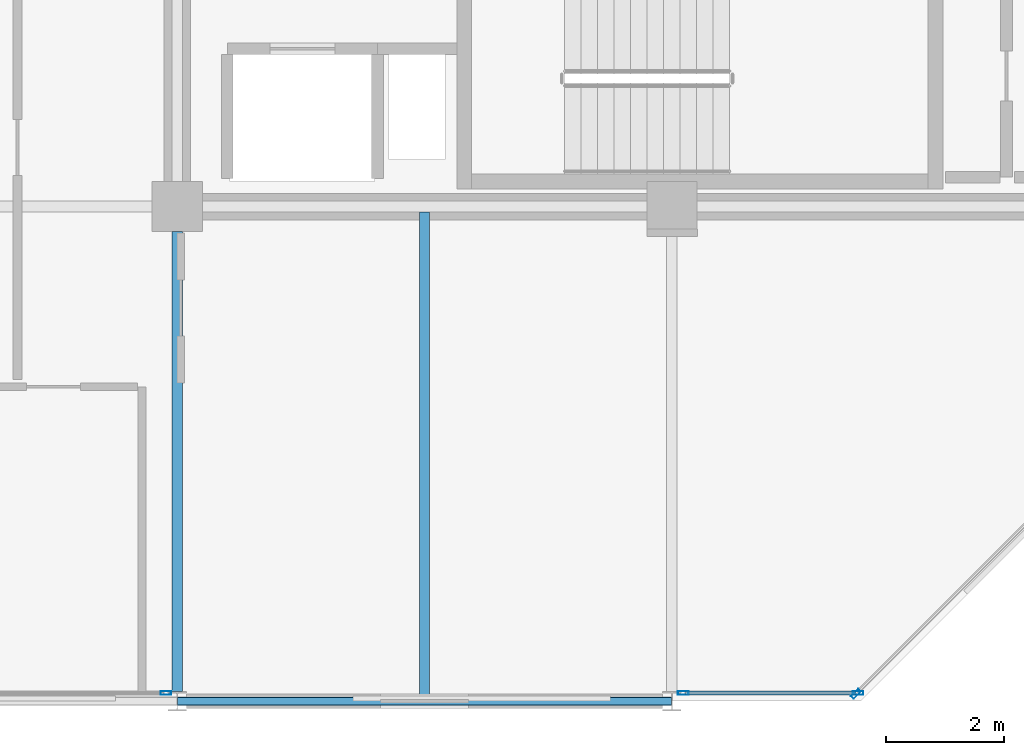
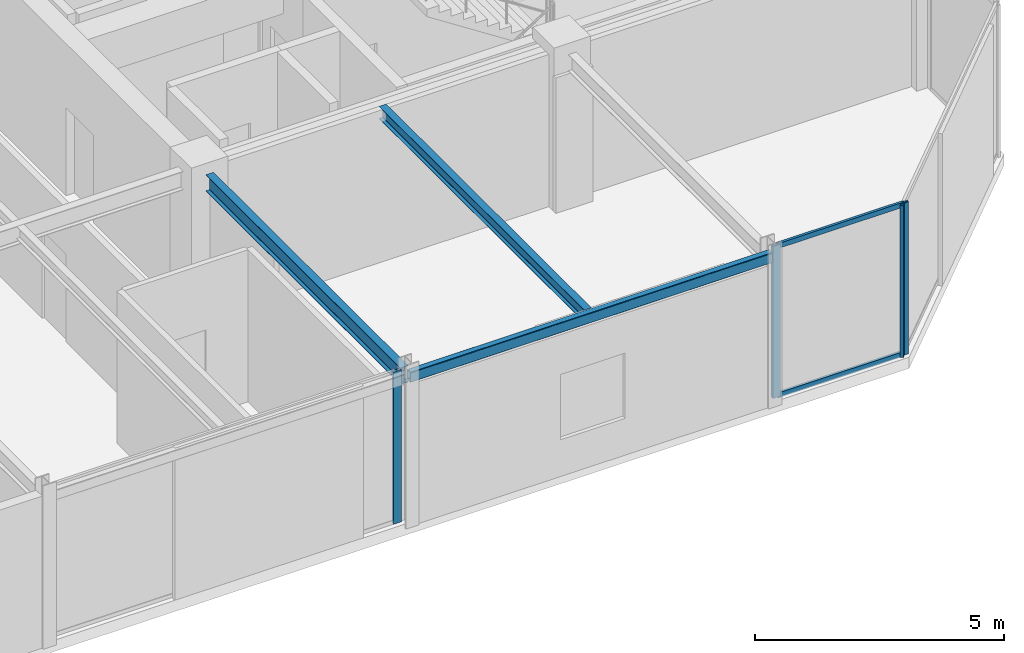
# One storey, part 7 of 24: 6 members, 3 beams, 3 elements without a shape of their own.
"""IFC4 building model written with IfcOpenShell, lengths in metres."""

import ifcopenshell
import ifcopenshell.guid

model = None  # the IFC model being written
_history = None  # IfcOwnerHistory: only IFC2X3 demands one
_inside = {}  # id of a spatial element -> (the spatial element, [elements in it])
_under = {}  # id of a project, library or spatial element -> (it, [spatial elements below it])
_declared = {}  # id of a project -> (the project, [libraries it declares])
_typed = {}  # id of a type object -> (the type object, [elements of that type])
_made_of = {}  # id of a material, layer set ... -> (it, [elements and type objects made of it])


def new_model(schema):
    """Start an empty IFC model of exactly this schema.

    Asked for "IFC4X3", IfcOpenShell would pick the latest addendum, in which some entities
    have other attributes; the version numbers below select the first issue.
    IFC2X3 requires an IfcOwnerHistory on every rooted entity: one is made here for all.
    """
    global model, _history
    if schema == "IFC4X3":
        model = ifcopenshell.file(schema_version=(4, 3, 0, 0))
    else:
        model = ifcopenshell.file(schema=schema)
    _inside.clear()
    _under.clear()
    _declared.clear()
    _typed.clear()
    _made_of.clear()
    _history = None
    if model.schema == "IFC2X3":
        org = make("IfcOrganization", Name="unknown")
        user = make(
            "IfcPersonAndOrganization",
            ThePerson=make("IfcPerson", FamilyName="unknown"),
            TheOrganization=org,
        )
        app = make(
            "IfcApplication",
            ApplicationDeveloper=org,
            Version="unknown",
            ApplicationFullName="unknown",
            ApplicationIdentifier="unknown",
        )
        _history = make(
            "IfcOwnerHistory",
            OwningUser=user,
            OwningApplication=app,
            ChangeAction="ADDED",
            CreationDate=0,
        )
    return model


def make(cls, **values):
    """One entity of the class cls with the attributes given. An attribute that is None is left unset."""
    return model.create_entity(
        cls, **{name: value for name, value in values.items() if value is not None}
    )


def rooted(cls, **values):
    """An entity with a GlobalId (a new one), such as an element, a storey or a relation."""
    return make(cls, GlobalId=ifcopenshell.guid.new(), OwnerHistory=_history, **values)


def si_unit(unit_type, name, prefix=None):
    """IfcSIUnit, for example si_unit("LENGTHUNIT", "METRE", prefix="MILLI")."""
    return make("IfcSIUnit", UnitType=unit_type, Prefix=prefix, Name=name)


def assignment(units):
    """IfcUnitAssignment: the units of a project."""
    return None if units is None else make("IfcUnitAssignment", Units=units)


def point(xyz):
    """IfcCartesianPoint."""
    return None if xyz is None else make("IfcCartesianPoint", Coordinates=xyz)


def direction(xyz):
    """IfcDirection."""
    return None if xyz is None else make("IfcDirection", DirectionRatios=xyz)


def frame(location, z_axis=None, x_axis=None):
    """IfcAxis2Placement3D, a coordinate frame: its origin and axes. An axis left out is left unset."""
    return make(
        "IfcAxis2Placement3D",
        Location=point(location),
        Axis=direction(z_axis),
        RefDirection=direction(x_axis),
    )


def frame_2d(location, x_axis=None):
    """IfcAxis2Placement2D, a coordinate frame in the plane: its origin and x axis."""
    return make(
        "IfcAxis2Placement2D", Location=point(location), RefDirection=direction(x_axis)
    )


def origin():
    """The frame at (0, 0, 0) with its axes left unset."""
    return frame((0.0, 0.0, 0.0))


def origin_2d():
    """The frame at (0, 0) in the plane with its x axis left unset."""
    return frame_2d((0.0, 0.0))


def place(relative_to, where):
    """IfcLocalPlacement: puts the frame where relative to a parent placement (None: the world)."""
    return make(
        "IfcLocalPlacement", PlacementRelTo=relative_to, RelativePlacement=where
    )


def context(
    kind, dimensions, precision=None, world=None, true_north=None, identifier=None
):
    """IfcGeometricRepresentationContext, for example the 3D "Model" context."""
    return make(
        "IfcGeometricRepresentationContext",
        ContextIdentifier=identifier,
        ContextType=kind,
        CoordinateSpaceDimension=dimensions,
        Precision=precision,
        WorldCoordinateSystem=world,
        TrueNorth=true_north,
    )


def subcontext(parent, identifier, kind, view, scale=None):
    """IfcGeometricRepresentationSubContext, for example "Body" below "Model"."""
    return make(
        "IfcGeometricRepresentationSubContext",
        ContextIdentifier=identifier,
        ContextType=kind,
        ParentContext=parent,
        TargetScale=scale,
        TargetView=view,
    )


def project(units=None, contexts=None):
    """IfcProject with its units and contexts."""
    return rooted(
        "IfcProject",
        Name="project",
        RepresentationContexts=contexts,
        UnitsInContext=assignment(units),
    )


def spatial(cls, under=None, at=None, **own):
    """A site, building, storey or space (cls), placed at a placement, below another one or the project."""
    s = rooted(cls, ObjectPlacement=at, **own)
    if under is not None:
        _under.setdefault(under.id(), (under, []))[1].append(s)
    return s


def profile(cls, at=None, kind="AREA", **sizes):
    """A parametric profile (cls). Its sizes go by their IFC names, for example OverallWidth=200.0."""
    return make(cls, ProfileType=kind, Position=at, **sizes)


def hollow_rectangle(**sizes):
    """IfcRectangleHollowProfileDef."""
    return profile("IfcRectangleHollowProfileDef", **sizes)


def i_section(**sizes):
    """IfcIShapeProfileDef."""
    return profile("IfcIShapeProfileDef", **sizes)


def extrude(swept, where, along, depth):
    """IfcExtrudedAreaSolid: the profile swept, set in the frame where, extruded along a direction by depth."""
    return make(
        "IfcExtrudedAreaSolid",
        SweptArea=swept,
        Position=where,
        ExtrudedDirection=direction(along),
        Depth=depth,
    )


def shape(context_of_items, identifier, shape_type, items):
    """IfcShapeRepresentation: the items that make up one representation, for example the "Body"."""
    return make(
        "IfcShapeRepresentation",
        ContextOfItems=context_of_items,
        RepresentationIdentifier=identifier,
        RepresentationType=shape_type,
        Items=items,
    )


def material(Name=None, Category=None):
    """IfcMaterial."""
    return make("IfcMaterial", Name=Name, Category=Category)


def layer(
    of_material, thickness, ventilated=None, Name=None, Category=None, Priority=None
):
    """IfcMaterialLayer: one layer of a wall or slab, of a material (None: an air gap)."""
    return make(
        "IfcMaterialLayer",
        Material=of_material,
        LayerThickness=thickness,
        IsVentilated=ventilated,
        Name=Name,
        Category=Category,
        Priority=Priority,
    )


def layer_set(layers, Name=None):
    """IfcMaterialLayerSet."""
    return make("IfcMaterialLayerSet", MaterialLayers=layers, LayerSetName=Name)


def material_profile(
    of_material, cross_section, Name=None, Category=None, Priority=None
):
    """IfcMaterialProfile: a cross section and its material."""
    return make(
        "IfcMaterialProfile",
        Name=Name,
        Material=of_material,
        Profile=cross_section,
        Priority=Priority,
        Category=Category,
    )


def profile_set(profiles, Name=None, composite=None):
    """IfcMaterialProfileSet."""
    return make(
        "IfcMaterialProfileSet",
        Name=Name,
        MaterialProfiles=profiles,
        CompositeProfile=composite,
    )


def made_of(thing, what):
    """Note that an element or type object is made of a material, layer set ...; save() writes the relation."""
    if what is not None:
        _made_of.setdefault(what.id(), (what, []))[1].append(thing)
    return thing


def type_object(cls, material=None, **own):
    """A type object (cls), such as IfcWallType, which elements share."""
    return made_of(rooted(cls, **own), material)


def element(
    cls,
    number,
    at=None,
    inside=None,
    cuts=None,
    type_object=None,
    material=None,
    context=None,
    identifier="Body",
    shape_type=None,
    held_by="IfcProductDefinitionShape",
    body=None,
    shapes=None,
    **own,
):
    """One element of the class cls, such as IfcWall. Its Tag is "e" and its number.

    at: its placement. inside: the storey or other place that contains it. cuts: it is an
    opening in that element (IfcRelVoidsElement). A single representation is given by context,
    identifier, shape_type and body (its items); several are given by shapes. held_by: the class
    of the entity that holds the representations. save() writes the other relations.
    """
    e = rooted(cls, Tag="e%d" % number, ObjectPlacement=at, **own)
    if body is not None:
        shapes = [shape(context, identifier, shape_type, body)]
    if shapes is not None:
        e.Representation = make(held_by, Representations=shapes)
    if inside is not None:
        _inside.setdefault(inside.id(), (inside, []))[1].append(e)
    if cuts is not None:
        rooted(
            "IfcRelVoidsElement", RelatingBuildingElement=cuts, RelatedOpeningElement=e
        )
    if type_object is not None:
        _typed.setdefault(type_object.id(), (type_object, []))[1].append(e)
    return made_of(e, material)


def aggregate(whole, parts):
    """IfcRelAggregates: a whole, such as a stair, and the parts it consists of."""
    return rooted("IfcRelAggregates", RelatingObject=whole, RelatedObjects=parts)


def save(model, path):
    """Write the relations noted so far, then the file.

    IfcRelAggregates (storeys below a building ...), IfcRelContainedInSpatialStructure (elements
    in a storey), IfcRelDefinesByType, IfcRelAssociatesMaterial and IfcRelDeclares: one each for
    every whole, place, type object, material and project.
    """
    for whole, parts in _under.values():
        aggregate(whole, parts)
    for where, things in _inside.values():
        rooted(
            "IfcRelContainedInSpatialStructure",
            RelatedElements=things,
            RelatingStructure=where,
        )
    for kind, things in _typed.values():
        rooted("IfcRelDefinesByType", RelatedObjects=things, RelatingType=kind)
    for what, things in _made_of.values():
        rooted("IfcRelAssociatesMaterial", RelatedObjects=things, RelatingMaterial=what)
    for by, libraries in _declared.values():
        rooted("IfcRelDeclares", RelatingContext=by, RelatedDefinitions=libraries)
    model.write(path)


model = new_model("IFC4")

# Units and contexts
model_context = context("Model", 3, precision=1e-05, world=origin(), true_north=direction((0.0, 1.0)))
body_context = subcontext(model_context, "Body", "Model", "MODEL_VIEW")
ifc_project = project(units=[si_unit("LENGTHUNIT", "METRE"), si_unit("AREAUNIT", "SQUARE_METRE"), si_unit("VOLUMEUNIT", "CUBIC_METRE"), si_unit("PLANEANGLEUNIT", "RADIAN"), si_unit("MASSUNIT", "GRAM", prefix="KILO")], contexts=[model_context])

# Site, building, storey
site_placement = place(None, origin())
site = spatial("IfcSite", under=ifc_project, at=site_placement, CompositionType="ELEMENT")
building_placement = place(site_placement, origin())
building = spatial("IfcBuilding", under=site, at=building_placement, Name="Nerrivon Quay Data Exchange", CompositionType="ELEMENT")
storey_placement = place(building_placement, frame((0.0, 0.0, 310.199951171875)))
storey = spatial("IfcBuildingStorey", under=building, at=storey_placement, Name="L74", CompositionType="ELEMENT", Elevation=310.199951171875)

# Beams
ifc_material_1 = material(Name="Steel Grade 350", Category="steel")
ifc_material_profile_1 = material_profile(ifc_material_1, i_section(OverallWidth=0.177978515625, OverallDepth=0.406005859375, WebThickness=0.0078125, FlangeThickness=0.0126953125, FilletRadius=0.011474609375, at=origin_2d()), Name="410UB59.7")
ifc_profile_set_1 = profile_set([ifc_material_profile_1], Name="Steel Grade 350")
beam_type_1 = type_object("IfcBeamType", Name="BM-J1-410UB60", PredefinedType="JOIST", material=ifc_profile_set_1)
beam_1_placement = place(storey_placement, frame((16.800048828125, 0.16357421875, 3.52197265625), z_axis=(0.0, 1.0, 0.0), x_axis=(-1.0, 0.0, 0.0)))
element("IfcBeam", 1, at=beam_1_placement, inside=storey, type_object=beam_type_1, Name="L74 NS Girder X=16.8 (0.0..8.4)", PredefinedType="JOIST", context=body_context, shape_type="SweptSolid", body=[
    extrude(i_section(OverallWidth=0.177978515625, OverallDepth=0.406005859375, WebThickness=0.0078125, FlangeThickness=0.0126953125, FilletRadius=0.011474609375, at=origin_2d()), origin(), (0.0, 0.0, 1.0), 7.8115234375),
])
ifc_material_profile_2 = material_profile(ifc_material_1, i_section(OverallWidth=0.1650390625, OverallDepth=0.303955078125, WebThickness=0.006103515625, FlangeThickness=0.01025390625, FilletRadius=0.011474609375, at=origin_2d()), Name="310UB40.4")
ifc_profile_set_2 = profile_set([ifc_material_profile_2], Name="Steel Grade 350")
beam_type_2 = type_object("IfcBeamType", Name="BM-J6-310UB40", PredefinedType="JOIST", material=ifc_profile_set_2)
beam_2_placement = place(storey_placement, frame((21.0, 0.074951171875, 3.572998046875), z_axis=(0.0, 1.0, 0.0), x_axis=(-1.0, 0.0, 0.0)))
element("IfcBeam", 2, at=beam_2_placement, inside=storey, type_object=beam_type_2, Name="L74 Secondary Joist X=21.0 (0.0..8.4)", PredefinedType="JOIST", context=body_context, shape_type="SweptSolid", body=[
    extrude(i_section(OverallWidth=0.1650390625, OverallDepth=0.303955078125, WebThickness=0.006103515625, FlangeThickness=0.01025390625, FilletRadius=0.011474609375, at=origin_2d()), origin(), (0.0, 0.0, 1.0), 8.22998046875),
])
ifc_material_2 = material(Name="Steel Grade C350L0 (350 MPa)", Category="steel")
ifc_material_profile_3 = material_profile(ifc_material_2, hollow_rectangle(XDim=0.14990234375, YDim=0.25, WallThickness=0.009033203125, InnerFilletRadius=0.013427734375, OuterFilletRadius=0.0224609375, at=origin_2d()), Name="250x150x9.0RHS")
ifc_profile_set_3 = profile_set([ifc_material_profile_3], Name="Steel Grade C350L0 (350 MPa)")
beam_type_3 = type_object("IfcBeamType", Name="BM-SP4-250x150RHS", PredefinedType="SPANDREL", material=ifc_profile_set_3)
beam_3_placement = place(storey_placement, frame((16.807861328125, 0.0, 3.60009765625), z_axis=(1.0, 0.0, 0.0), x_axis=(0.0, 1.0, 0.0)))
element("IfcBeam", 3, at=beam_3_placement, inside=storey, type_object=beam_type_3, Name="L74 EW Girder Y=0.0 (16.8..25.2)", PredefinedType="SPANDREL", context=body_context, shape_type="SweptSolid", body=[
    extrude(hollow_rectangle(XDim=0.14990234375, YDim=0.25, WallThickness=0.009033203125, InnerFilletRadius=0.013427734375, OuterFilletRadius=0.0224609375, at=origin_2d()), origin(), (0.0, 0.0, 1.0), 8.38427734375),
])

# Curtain wall, member
ifc_material_3 = material(Name="Anodised aluminium 6063-T6", Category="aluminium")
ifc_layer = layer(ifc_material_3, 0.195068359375)
ifc_layer_set = layer_set([ifc_layer], Name="Anodised aluminium 6063-T6")
curtain_wall_type = type_object("IfcCurtainWallType", Name="CW-SYS-06", PredefinedType="NOTDEFINED", material=ifc_layer_set)
curtain_wall_1_placement = place(storey_placement, origin())
curtain_wall_1 = element("IfcCurtainWall", 4, at=curtain_wall_1_placement, inside=storey, type_object=curtain_wall_type, Name="L74 Unitised Curtain Wall 1", PredefinedType="NOTDEFINED")
ifc_material_profile_4 = material_profile(ifc_material_3, hollow_rectangle(XDim=0.06494140625, YDim=0.179931640625, WallThickness=0.00341796875, at=origin_2d()), Name="ALU-MULL-180x65")
ifc_profile_set_4 = profile_set([ifc_material_profile_4], Name="Anodised aluminium 6063-T6")
member_type_1 = type_object("IfcMemberType", Name="CWM-180x65", PredefinedType="MULLION", material=ifc_profile_set_4)
member_1_placement = place(storey_placement, frame((28.32763671875, 0.12548828125, 0.0), z_axis=(0.0, 0.0, 1.0), x_axis=(0.707106781187, -0.707106781187, 0.0)))
member_1 = element("IfcMember", 5, at=member_1_placement, type_object=member_type_1, Name="CW06 mullion 2", PredefinedType="MULLION", context=body_context, shape_type="SweptSolid", body=[
    extrude(hollow_rectangle(XDim=0.06494140625, YDim=0.179931640625, WallThickness=0.00341796875, at=origin_2d()), origin(), (0.0, 0.0, 1.0), 3.72509765625),
])
aggregate(curtain_wall_1, [member_1])

# Curtain wall, members
curtain_wall_2_placement = place(storey_placement, origin())
curtain_wall_2 = element("IfcCurtainWall", 6, at=curtain_wall_2_placement, inside=storey, type_object=curtain_wall_type, Name="L74 Unitised Curtain Wall 2", PredefinedType="NOTDEFINED")
member_2_placement = place(storey_placement, frame((28.362548828125, 0.139892578125, 0.0), z_axis=(0.0, 0.0, 1.0), x_axis=(0.0, -1.0, 0.0)))
member_2 = element("IfcMember", 7, at=member_2_placement, type_object=member_type_1, Name="CW06 mullion 1", PredefinedType="MULLION", context=body_context, shape_type="SweptSolid", body=[
    extrude(hollow_rectangle(XDim=0.06494140625, YDim=0.179931640625, WallThickness=0.00341796875, at=origin_2d()), origin(), (0.0, 0.0, 1.0), 3.72509765625),
])
member_3_placement = place(storey_placement, frame((25.39306640625, 0.139892578125, 0.0), z_axis=(0.0, 0.0, 1.0), x_axis=(0.0, -1.0, 0.0)))
member_3 = element("IfcMember", 8, at=member_3_placement, type_object=member_type_1, Name="CW06 mullion 2", PredefinedType="MULLION", context=body_context, shape_type="SweptSolid", body=[
    extrude(hollow_rectangle(XDim=0.06494140625, YDim=0.179931640625, WallThickness=0.00341796875, at=origin_2d()), origin(), (0.0, 0.0, 1.0), 3.72509765625),
])

# Curtain wall, member
curtain_wall_3_placement = place(storey_placement, origin())
curtain_wall_3 = element("IfcCurtainWall", 9, at=curtain_wall_3_placement, inside=storey, type_object=curtain_wall_type, Name="L74 Unitised Curtain Wall 4", PredefinedType="NOTDEFINED")
member_4_placement = place(storey_placement, frame((16.60693359375, 0.139892578125, 0.0), z_axis=(0.0, 0.0, 1.0), x_axis=(0.0, -1.0, 0.0)))
member_4 = element("IfcMember", 10, at=member_4_placement, type_object=member_type_1, Name="CW06 mullion 1", PredefinedType="MULLION", context=body_context, shape_type="SweptSolid", body=[
    extrude(hollow_rectangle(XDim=0.06494140625, YDim=0.179931640625, WallThickness=0.00341796875, at=origin_2d()), origin(), (0.0, 0.0, 1.0), 3.72509765625),
])
aggregate(curtain_wall_3, [member_4])

# Member
ifc_material_profile_5 = material_profile(ifc_material_3, hollow_rectangle(XDim=0.06005859375, YDim=0.1201171875, WallThickness=0.003173828125, at=origin_2d()), Name="ALU-TRAN-120x60")
ifc_profile_set_5 = profile_set([ifc_material_profile_5], Name="Anodised aluminium 6063-T6")
member_type_2 = type_object("IfcMemberType", Name="CWT-120x60", PredefinedType="USERDEFINED", material=ifc_profile_set_5)
member_5_placement = place(storey_placement, frame((28.324951171875, 0.139892578125, 0.032470703125), z_axis=(-1.0, 0.0, 0.0), x_axis=(0.0, -1.0, 0.0)))
member_5 = element("IfcMember", 11, at=member_5_placement, type_object=member_type_2, Name="CW06 transom 1.1", ObjectType="TRANSOM", PredefinedType="USERDEFINED", context=body_context, shape_type="SweptSolid", body=[
    extrude(hollow_rectangle(XDim=0.06005859375, YDim=0.1201171875, WallThickness=0.003173828125, at=origin_2d()), origin(), (0.0, 0.0, 1.0), 2.89453125),
])

member_6_placement = place(storey_placement, frame((28.324951171875, 0.139892578125, 3.692626953125), z_axis=(-1.0, 0.0, 0.0), x_axis=(0.0, -1.0, 0.0)))
member_6 = element("IfcMember", 12, at=member_6_placement, type_object=member_type_2, Name="CW06 transom 1.2", ObjectType="TRANSOM", PredefinedType="USERDEFINED", context=body_context, shape_type="SweptSolid", body=[
    extrude(hollow_rectangle(XDim=0.06005859375, YDim=0.1201171875, WallThickness=0.003173828125, at=origin_2d()), origin(), (0.0, 0.0, 1.0), 2.89453125),
])

aggregate(curtain_wall_2, [member_2, member_3, member_5, member_6])

save(model, "model.ifc")
